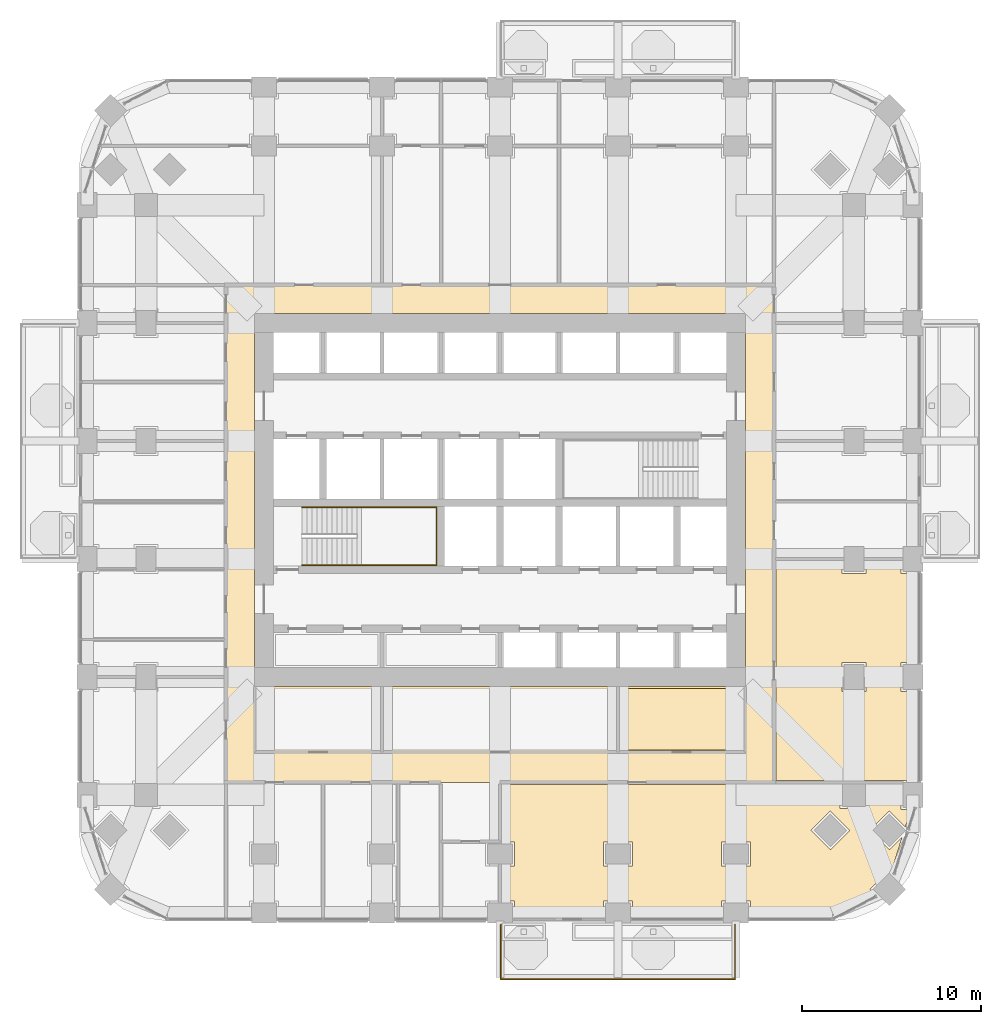
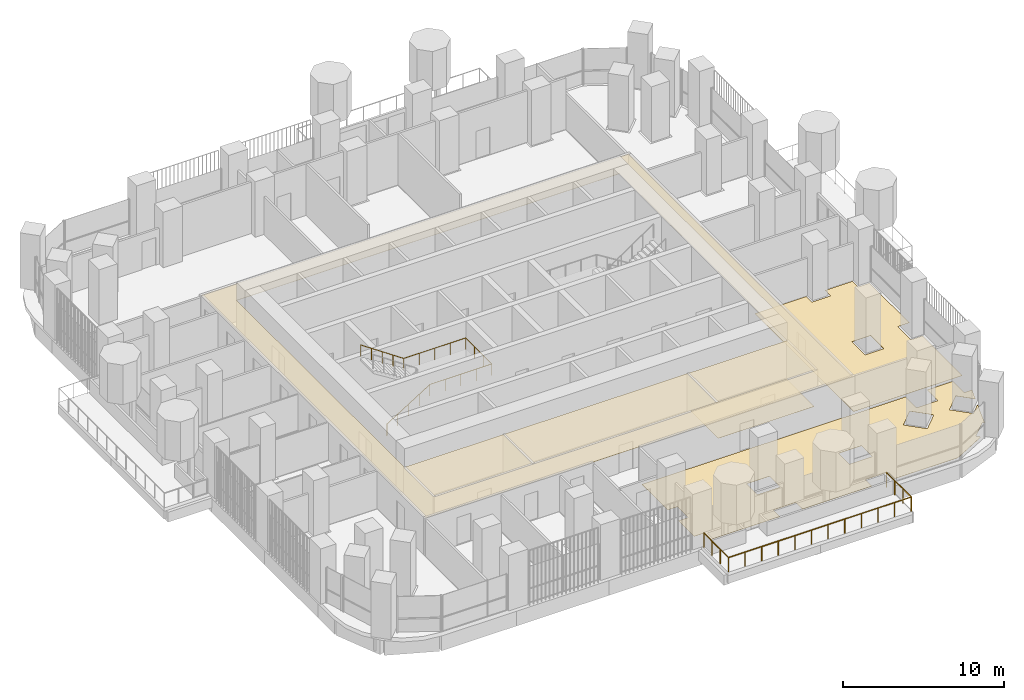
# One storey, part 19 of 22: 4 coverings, 2 railings.
"""IFC4 building model written with IfcOpenShell, lengths in metres."""

import ifcopenshell
import ifcopenshell.guid

model = None  # the IFC model being written
_history = None  # IfcOwnerHistory: only IFC2X3 demands one
_inside = {}  # id of a spatial element -> (the spatial element, [elements in it])
_under = {}  # id of a project, library or spatial element -> (it, [spatial elements below it])
_declared = {}  # id of a project -> (the project, [libraries it declares])
_typed = {}  # id of a type object -> (the type object, [elements of that type])
_made_of = {}  # id of a material, layer set ... -> (it, [elements and type objects made of it])


def new_model(schema):
    """Start an empty IFC model of exactly this schema.

    Asked for "IFC4X3", IfcOpenShell would pick the latest addendum, in which some entities
    have other attributes; the version numbers below select the first issue.
    IFC2X3 requires an IfcOwnerHistory on every rooted entity: one is made here for all.
    """
    global model, _history
    if schema == "IFC4X3":
        model = ifcopenshell.file(schema_version=(4, 3, 0, 0))
    else:
        model = ifcopenshell.file(schema=schema)
    _inside.clear()
    _under.clear()
    _declared.clear()
    _typed.clear()
    _made_of.clear()
    _history = None
    if model.schema == "IFC2X3":
        org = make("IfcOrganization", Name="unknown")
        user = make(
            "IfcPersonAndOrganization",
            ThePerson=make("IfcPerson", FamilyName="unknown"),
            TheOrganization=org,
        )
        app = make(
            "IfcApplication",
            ApplicationDeveloper=org,
            Version="unknown",
            ApplicationFullName="unknown",
            ApplicationIdentifier="unknown",
        )
        _history = make(
            "IfcOwnerHistory",
            OwningUser=user,
            OwningApplication=app,
            ChangeAction="ADDED",
            CreationDate=0,
        )
    return model


def make(cls, **values):
    """One entity of the class cls with the attributes given. An attribute that is None is left unset."""
    return model.create_entity(
        cls, **{name: value for name, value in values.items() if value is not None}
    )


def rooted(cls, **values):
    """An entity with a GlobalId (a new one), such as an element, a storey or a relation."""
    return make(cls, GlobalId=ifcopenshell.guid.new(), OwnerHistory=_history, **values)


def si_unit(unit_type, name, prefix=None):
    """IfcSIUnit, for example si_unit("LENGTHUNIT", "METRE", prefix="MILLI")."""
    return make("IfcSIUnit", UnitType=unit_type, Prefix=prefix, Name=name)


def assignment(units):
    """IfcUnitAssignment: the units of a project."""
    return None if units is None else make("IfcUnitAssignment", Units=units)


def point(xyz):
    """IfcCartesianPoint."""
    return None if xyz is None else make("IfcCartesianPoint", Coordinates=xyz)


def direction(xyz):
    """IfcDirection."""
    return None if xyz is None else make("IfcDirection", DirectionRatios=xyz)


def frame(location, z_axis=None, x_axis=None):
    """IfcAxis2Placement3D, a coordinate frame: its origin and axes. An axis left out is left unset."""
    return make(
        "IfcAxis2Placement3D",
        Location=point(location),
        Axis=direction(z_axis),
        RefDirection=direction(x_axis),
    )


def origin():
    """The frame at (0, 0, 0) with its axes left unset."""
    return frame((0.0, 0.0, 0.0))


def place(relative_to, where):
    """IfcLocalPlacement: puts the frame where relative to a parent placement (None: the world)."""
    return make(
        "IfcLocalPlacement", PlacementRelTo=relative_to, RelativePlacement=where
    )


def context(
    kind, dimensions, precision=None, world=None, true_north=None, identifier=None
):
    """IfcGeometricRepresentationContext, for example the 3D "Model" context."""
    return make(
        "IfcGeometricRepresentationContext",
        ContextIdentifier=identifier,
        ContextType=kind,
        CoordinateSpaceDimension=dimensions,
        Precision=precision,
        WorldCoordinateSystem=world,
        TrueNorth=true_north,
    )


def subcontext(parent, identifier, kind, view, scale=None):
    """IfcGeometricRepresentationSubContext, for example "Body" below "Model"."""
    return make(
        "IfcGeometricRepresentationSubContext",
        ContextIdentifier=identifier,
        ContextType=kind,
        ParentContext=parent,
        TargetScale=scale,
        TargetView=view,
    )


def project(units=None, contexts=None):
    """IfcProject with its units and contexts."""
    return rooted(
        "IfcProject",
        Name="project",
        RepresentationContexts=contexts,
        UnitsInContext=assignment(units),
    )


def spatial(cls, under=None, at=None, **own):
    """A site, building, storey or space (cls), placed at a placement, below another one or the project."""
    s = rooted(cls, ObjectPlacement=at, **own)
    if under is not None:
        _under.setdefault(under.id(), (under, []))[1].append(s)
    return s


def polyline(points):
    """IfcPolyline through the points."""
    return make("IfcPolyline", Points=[point(p) for p in points])


def outline(outer, holes=None, kind="AREA"):
    """IfcArbitraryClosedProfileDef: a profile drawn as a closed curve; with holes, ...WithVoids."""
    if holes is None:
        return make("IfcArbitraryClosedProfileDef", ProfileType=kind, OuterCurve=outer)
    return make(
        "IfcArbitraryProfileDefWithVoids",
        ProfileType=kind,
        OuterCurve=outer,
        InnerCurves=holes,
    )


def extrude(swept, where, along, depth):
    """IfcExtrudedAreaSolid: the profile swept, set in the frame where, extruded along a direction by depth."""
    return make(
        "IfcExtrudedAreaSolid",
        SweptArea=swept,
        Position=where,
        ExtrudedDirection=direction(along),
        Depth=depth,
    )


def shape(context_of_items, identifier, shape_type, items):
    """IfcShapeRepresentation: the items that make up one representation, for example the "Body"."""
    return make(
        "IfcShapeRepresentation",
        ContextOfItems=context_of_items,
        RepresentationIdentifier=identifier,
        RepresentationType=shape_type,
        Items=items,
    )


def material(Name=None, Category=None):
    """IfcMaterial."""
    return make("IfcMaterial", Name=Name, Category=Category)


def layer(
    of_material, thickness, ventilated=None, Name=None, Category=None, Priority=None
):
    """IfcMaterialLayer: one layer of a wall or slab, of a material (None: an air gap)."""
    return make(
        "IfcMaterialLayer",
        Material=of_material,
        LayerThickness=thickness,
        IsVentilated=ventilated,
        Name=Name,
        Category=Category,
        Priority=Priority,
    )


def layer_set(layers, Name=None):
    """IfcMaterialLayerSet."""
    return make("IfcMaterialLayerSet", MaterialLayers=layers, LayerSetName=Name)


def made_of(thing, what):
    """Note that an element or type object is made of a material, layer set ...; save() writes the relation."""
    if what is not None:
        _made_of.setdefault(what.id(), (what, []))[1].append(thing)
    return thing


def type_object(cls, material=None, **own):
    """A type object (cls), such as IfcWallType, which elements share."""
    return made_of(rooted(cls, **own), material)


def element(
    cls,
    number,
    at=None,
    inside=None,
    cuts=None,
    type_object=None,
    material=None,
    context=None,
    identifier="Body",
    shape_type=None,
    held_by="IfcProductDefinitionShape",
    body=None,
    shapes=None,
    **own,
):
    """One element of the class cls, such as IfcWall. Its Tag is "e" and its number.

    at: its placement. inside: the storey or other place that contains it. cuts: it is an
    opening in that element (IfcRelVoidsElement). A single representation is given by context,
    identifier, shape_type and body (its items); several are given by shapes. held_by: the class
    of the entity that holds the representations. save() writes the other relations.
    """
    e = rooted(cls, Tag="e%d" % number, ObjectPlacement=at, **own)
    if body is not None:
        shapes = [shape(context, identifier, shape_type, body)]
    if shapes is not None:
        e.Representation = make(held_by, Representations=shapes)
    if inside is not None:
        _inside.setdefault(inside.id(), (inside, []))[1].append(e)
    if cuts is not None:
        rooted(
            "IfcRelVoidsElement", RelatingBuildingElement=cuts, RelatedOpeningElement=e
        )
    if type_object is not None:
        _typed.setdefault(type_object.id(), (type_object, []))[1].append(e)
    return made_of(e, material)


def aggregate(whole, parts):
    """IfcRelAggregates: a whole, such as a stair, and the parts it consists of."""
    return rooted("IfcRelAggregates", RelatingObject=whole, RelatedObjects=parts)


def save(model, path):
    """Write the relations noted so far, then the file.

    IfcRelAggregates (storeys below a building ...), IfcRelContainedInSpatialStructure (elements
    in a storey), IfcRelDefinesByType, IfcRelAssociatesMaterial and IfcRelDeclares: one each for
    every whole, place, type object, material and project.
    """
    for whole, parts in _under.values():
        aggregate(whole, parts)
    for where, things in _inside.values():
        rooted(
            "IfcRelContainedInSpatialStructure",
            RelatedElements=things,
            RelatingStructure=where,
        )
    for kind, things in _typed.values():
        rooted("IfcRelDefinesByType", RelatedObjects=things, RelatingType=kind)
    for what, things in _made_of.values():
        rooted("IfcRelAssociatesMaterial", RelatedObjects=things, RelatingMaterial=what)
    for by, libraries in _declared.values():
        rooted("IfcRelDeclares", RelatingContext=by, RelatedDefinitions=libraries)
    model.write(path)


model = new_model("IFC4")

# Units and contexts
model_context = context("Model", 3, precision=1e-05, world=origin(), true_north=direction((0.0, 1.0)))
body_context = subcontext(model_context, "Body", "Model", "MODEL_VIEW")
ifc_project = project(units=[si_unit("LENGTHUNIT", "METRE"), si_unit("AREAUNIT", "SQUARE_METRE"), si_unit("VOLUMEUNIT", "CUBIC_METRE"), si_unit("PLANEANGLEUNIT", "RADIAN"), si_unit("MASSUNIT", "GRAM", prefix="KILO")], contexts=[model_context])

# Site, building, storey
site_placement = place(None, origin())
site = spatial("IfcSite", under=ifc_project, at=site_placement, CompositionType="ELEMENT")
building_placement = place(site_placement, origin())
building = spatial("IfcBuilding", under=site, at=building_placement, Name="Cobogo Forest Laboratory Tower", CompositionType="ELEMENT")
storey_placement = place(building_placement, frame((0.0, 0.0, 111.60009765625)))
storey = spatial("IfcBuildingStorey", under=building, at=storey_placement, Name="L25", CompositionType="ELEMENT", Elevation=111.60009765625)

# Railing
ifc_material_1 = material(Name="Laminated glass balustrade", Category="glass")
railing_type_1 = type_object("IfcRailingType", Name="BG1 glass balustrade 1100", PredefinedType="GUARDRAIL", material=ifc_material_1)
railing_1_placement = place(storey_placement, frame((26.449951171875, -0.64990234375, 0.0)))
element("IfcRailing", 1, at=railing_1_placement, inside=storey, type_object=railing_type_1, Name="Balcony balustrade BAL-S1 L25", PredefinedType="GUARDRAIL", context=body_context, shape_type="SweptSolid", body=[
    extrude(outline(polyline([(0.022216796875, 0.00927734375), (0.00927734375, 0.022216796875), (-0.00927734375, 0.022216796875), (-0.022216796875, 0.00927734375), (-0.022216796875, -0.00927734375), (-0.00927734375, -0.022216796875), (0.00927734375, -0.022216796875), (0.022216796875, -0.00927734375), (0.022216796875, 0.00927734375)])), frame((0.0, 0.0, 1.077880859375), z_axis=(0.0, -1.0, 0.0), x_axis=(1.0, 0.0, 0.0)), (0.0, 0.0, 1.0), 3.050048828125),
    extrude(outline(polyline([(0.022216796875, 0.00927734375), (0.00927734375, 0.022216796875), (-0.00927734375, 0.022216796875), (-0.022216796875, 0.00927734375), (-0.022216796875, -0.00927734375), (-0.00927734375, -0.022216796875), (0.00927734375, -0.022216796875), (0.022216796875, -0.00927734375), (0.022216796875, 0.00927734375)])), frame((0.0, -3.050048828125, 1.077880859375), z_axis=(1.0, 0.0, 0.0), x_axis=(0.0, 1.0, 0.0)), (0.0, 0.0, 1.0), 13.10009765625),
    extrude(outline(polyline([(0.022216796875, 0.00927734375), (0.00927734375, 0.022216796875), (-0.00927734375, 0.022216796875), (-0.022216796875, 0.00927734375), (-0.022216796875, -0.00927734375), (-0.00927734375, -0.022216796875), (0.00927734375, -0.022216796875), (0.022216796875, -0.00927734375), (0.022216796875, 0.00927734375)])), frame((13.10009765625, -3.050048828125, 1.077880859375), z_axis=(0.0, 1.0, 0.0), x_axis=(-1.0, 0.0, 0.0)), (0.0, 0.0, 1.0), 3.050048828125),
    extrude(outline(polyline([(0.019287109375, 0.008056640625), (0.008056640625, 0.019287109375), (-0.008056640625, 0.019287109375), (-0.019287109375, 0.008056640625), (-0.019287109375, -0.008056640625), (-0.008056640625, -0.019287109375), (0.008056640625, -0.019287109375), (0.019287109375, -0.008056640625), (0.019287109375, 0.008056640625)])), origin(), (0.0, 0.0, 1.0), 1.077880859375),
    extrude(outline(polyline([(0.019287109375, 0.008056640625), (0.008056640625, 0.019287109375), (-0.008056640625, 0.019287109375), (-0.019287109375, 0.008056640625), (-0.019287109375, -0.008056640625), (-0.008056640625, -0.019287109375), (0.008056640625, -0.019287109375), (0.019287109375, -0.008056640625), (0.019287109375, 0.008056640625)])), frame((0.0, -1.0166015625, 0.0)), (0.0, 0.0, 1.0), 1.077880859375),
    extrude(outline(polyline([(0.019287109375, 0.008056640625), (0.008056640625, 0.019287109375), (-0.008056640625, 0.019287109375), (-0.019287109375, 0.008056640625), (-0.019287109375, -0.008056640625), (-0.008056640625, -0.019287109375), (0.008056640625, -0.019287109375), (0.019287109375, -0.008056640625), (0.019287109375, 0.008056640625)])), frame((0.0, -2.033447265625, 0.0)), (0.0, 0.0, 1.0), 1.077880859375),
    extrude(outline(polyline([(0.019287109375, 0.008056640625), (0.008056640625, 0.019287109375), (-0.008056640625, 0.019287109375), (-0.019287109375, 0.008056640625), (-0.019287109375, -0.008056640625), (-0.008056640625, -0.019287109375), (0.008056640625, -0.019287109375), (0.019287109375, -0.008056640625), (0.019287109375, 0.008056640625)])), frame((0.0, -3.050048828125, 0.0)), (0.0, 0.0, 1.0), 1.077880859375),
    extrude(outline(polyline([(0.019287109375, 0.008056640625), (0.008056640625, 0.019287109375), (-0.008056640625, 0.019287109375), (-0.019287109375, 0.008056640625), (-0.019287109375, -0.008056640625), (-0.008056640625, -0.019287109375), (0.008056640625, -0.019287109375), (0.019287109375, -0.008056640625), (0.019287109375, 0.008056640625)])), frame((1.19091796875, -3.050048828125, 0.0)), (0.0, 0.0, 1.0), 1.077880859375),
    extrude(outline(polyline([(0.019287109375, 0.008056640625), (0.008056640625, 0.019287109375), (-0.008056640625, 0.019287109375), (-0.019287109375, 0.008056640625), (-0.019287109375, -0.008056640625), (-0.008056640625, -0.019287109375), (0.008056640625, -0.019287109375), (0.019287109375, -0.008056640625), (0.019287109375, 0.008056640625)])), frame((2.3818359375, -3.050048828125, 0.0)), (0.0, 0.0, 1.0), 1.077880859375),
    extrude(outline(polyline([(0.019287109375, 0.008056640625), (0.008056640625, 0.019287109375), (-0.008056640625, 0.019287109375), (-0.019287109375, 0.008056640625), (-0.019287109375, -0.008056640625), (-0.008056640625, -0.019287109375), (0.008056640625, -0.019287109375), (0.019287109375, -0.008056640625), (0.019287109375, 0.008056640625)])), frame((3.57275390625, -3.050048828125, 0.0)), (0.0, 0.0, 1.0), 1.077880859375),
    extrude(outline(polyline([(0.019287109375, 0.008056640625), (0.008056640625, 0.019287109375), (-0.008056640625, 0.019287109375), (-0.019287109375, 0.008056640625), (-0.019287109375, -0.008056640625), (-0.008056640625, -0.019287109375), (0.008056640625, -0.019287109375), (0.019287109375, -0.008056640625), (0.019287109375, 0.008056640625)])), frame((4.763671875, -3.050048828125, 0.0)), (0.0, 0.0, 1.0), 1.077880859375),
    extrude(outline(polyline([(0.019287109375, 0.008056640625), (0.008056640625, 0.019287109375), (-0.008056640625, 0.019287109375), (-0.019287109375, 0.008056640625), (-0.019287109375, -0.008056640625), (-0.008056640625, -0.019287109375), (0.008056640625, -0.019287109375), (0.019287109375, -0.008056640625), (0.019287109375, 0.008056640625)])), frame((5.95458984375, -3.050048828125, 0.0)), (0.0, 0.0, 1.0), 1.077880859375),
    extrude(outline(polyline([(0.019287109375, 0.008056640625), (0.008056640625, 0.019287109375), (-0.008056640625, 0.019287109375), (-0.019287109375, 0.008056640625), (-0.019287109375, -0.008056640625), (-0.008056640625, -0.019287109375), (0.008056640625, -0.019287109375), (0.019287109375, -0.008056640625), (0.019287109375, 0.008056640625)])), frame((7.1455078125, -3.050048828125, 0.0)), (0.0, 0.0, 1.0), 1.077880859375),
    extrude(outline(polyline([(0.019287109375, 0.008056640625), (0.008056640625, 0.019287109375), (-0.008056640625, 0.019287109375), (-0.019287109375, 0.008056640625), (-0.019287109375, -0.008056640625), (-0.008056640625, -0.019287109375), (0.008056640625, -0.019287109375), (0.019287109375, -0.008056640625), (0.019287109375, 0.008056640625)])), frame((8.33642578125, -3.050048828125, 0.0)), (0.0, 0.0, 1.0), 1.077880859375),
    extrude(outline(polyline([(0.019287109375, 0.008056640625), (0.008056640625, 0.019287109375), (-0.008056640625, 0.019287109375), (-0.019287109375, 0.008056640625), (-0.019287109375, -0.008056640625), (-0.008056640625, -0.019287109375), (0.008056640625, -0.019287109375), (0.019287109375, -0.008056640625), (0.019287109375, 0.008056640625)])), frame((9.52734375, -3.050048828125, 0.0)), (0.0, 0.0, 1.0), 1.077880859375),
    extrude(outline(polyline([(0.019287109375, 0.008056640625), (0.008056640625, 0.019287109375), (-0.008056640625, 0.019287109375), (-0.019287109375, 0.008056640625), (-0.019287109375, -0.008056640625), (-0.008056640625, -0.019287109375), (0.008056640625, -0.019287109375), (0.019287109375, -0.008056640625), (0.019287109375, 0.008056640625)])), frame((10.71826171875, -3.050048828125, 0.0)), (0.0, 0.0, 1.0), 1.077880859375),
    extrude(outline(polyline([(0.019287109375, 0.008056640625), (0.008056640625, 0.019287109375), (-0.008056640625, 0.019287109375), (-0.019287109375, 0.008056640625), (-0.019287109375, -0.008056640625), (-0.008056640625, -0.019287109375), (0.008056640625, -0.019287109375), (0.019287109375, -0.008056640625), (0.019287109375, 0.008056640625)])), frame((11.9091796875, -3.050048828125, 0.0)), (0.0, 0.0, 1.0), 1.077880859375),
    extrude(outline(polyline([(0.019287109375, 0.008056640625), (0.008056640625, 0.019287109375), (-0.008056640625, 0.019287109375), (-0.019287109375, 0.008056640625), (-0.019287109375, -0.008056640625), (-0.008056640625, -0.019287109375), (0.008056640625, -0.019287109375), (0.019287109375, -0.008056640625), (0.019287109375, 0.008056640625)])), frame((13.10009765625, -3.050048828125, 0.0)), (0.0, 0.0, 1.0), 1.077880859375),
    extrude(outline(polyline([(0.019287109375, 0.008056640625), (0.008056640625, 0.019287109375), (-0.008056640625, 0.019287109375), (-0.019287109375, 0.008056640625), (-0.019287109375, -0.008056640625), (-0.008056640625, -0.019287109375), (0.008056640625, -0.019287109375), (0.019287109375, -0.008056640625), (0.019287109375, 0.008056640625)])), frame((13.10009765625, -2.033447265625, 0.0)), (0.0, 0.0, 1.0), 1.077880859375),
    extrude(outline(polyline([(0.019287109375, 0.008056640625), (0.008056640625, 0.019287109375), (-0.008056640625, 0.019287109375), (-0.019287109375, 0.008056640625), (-0.019287109375, -0.008056640625), (-0.008056640625, -0.019287109375), (0.008056640625, -0.019287109375), (0.019287109375, -0.008056640625), (0.019287109375, 0.008056640625)])), frame((13.10009765625, -1.0166015625, 0.0)), (0.0, 0.0, 1.0), 1.077880859375),
    extrude(outline(polyline([(0.019287109375, 0.008056640625), (0.008056640625, 0.019287109375), (-0.008056640625, 0.019287109375), (-0.019287109375, 0.008056640625), (-0.019287109375, -0.008056640625), (-0.008056640625, -0.019287109375), (0.008056640625, -0.019287109375), (0.019287109375, -0.008056640625), (0.019287109375, 0.008056640625)])), frame((13.10009765625, 0.0, 0.0)), (0.0, 0.0, 1.0), 1.077880859375),
])

# Coverings
ifc_material_2 = material(Name="Mineral fibre ceiling tile", Category="ceiling")
ifc_layer_1 = layer(ifc_material_2, 0.02001953125)
ifc_layer_set_1 = layer_set([ifc_layer_1], Name="CL1 suspended ceiling")
covering_type_1 = type_object("IfcCoveringType", Name="CL1 suspended ceiling", PredefinedType="CEILING", material=ifc_layer_set_1)
covering_1_placement = place(storey_placement, frame((0.0, 0.0, 2.7998046875)))
element("IfcCovering", 2, at=covering_1_placement, inside=storey, type_object=covering_type_1, Name="Corridor ceiling L25", PredefinedType="CEILING", context=body_context, shape_type="SweptSolid", body=[
    extrude(outline(polyline([(11.074951171875, 7.300048828125), (11.074951171875, 35.125), (41.72509765625, 35.125), (41.72509765625, 7.300048828125), (11.074951171875, 7.300048828125)]), holes=[polyline([(40.125, 33.52490234375), (12.675048828125, 33.52490234375), (12.675048828125, 12.675048828125), (40.125, 12.675048828125), (40.125, 33.52490234375)])]), origin(), (0.0, 0.0, 1.0), 0.02001953125),
])
ifc_material_3 = material(Name="Carpet tile on raised access floor", Category="flooring")
ifc_layer_2 = layer(ifc_material_3, 0.008056640625)
ifc_layer_set_2 = layer_set([ifc_layer_2], Name="CT1 carpet tile floor 8")
covering_type_2 = type_object("IfcCoveringType", Name="CT1 carpet tile floor 8", PredefinedType="FLOORING", material=ifc_layer_set_2)
covering_2_placement = place(storey_placement, origin())
element("IfcCovering", 3, at=covering_2_placement, inside=storey, type_object=covering_type_2, Name="Carpet floor L25-09", PredefinedType="FLOORING", context=body_context, shape_type="SweptSolid", body=[
    extrude(outline(polyline([(41.844970703125, 19.679931640625), (45.530029296875, 19.679931640625), (45.530029296875, 18.97998046875), (46.8701171875, 18.97998046875), (46.8701171875, 19.679931640625), (48.830078125, 19.679931640625), (48.830078125, 18.97998046875), (49.64990234375, 18.97998046875), (49.64990234375, 14.02001953125), (48.830078125, 14.02001953125), (48.830078125, 12.3798828125), (49.64990234375, 12.3798828125), (49.64990234375, 7.419921875), (41.844970703125, 7.419921875), (41.844970703125, 19.679931640625)]), holes=[polyline([(45.530029296875, 12.3798828125), (46.8701171875, 12.3798828125), (46.8701171875, 14.02001953125), (45.530029296875, 14.02001953125), (45.530029296875, 12.3798828125)])]), origin(), (0.0, 0.0, 1.0), 0.0078125),
])

# Railing
ifc_material_4 = material(Name="Stainless steel handrail", Category="steel")
railing_type_2 = type_object("IfcRailingType", Name="HR handrail 900", PredefinedType="HANDRAIL", material=ifc_material_4)
railing_2_placement = place(storey_placement, frame((15.324951171875, 19.449951171875, 0.1748046875)))
element("IfcRailing", 4, at=railing_2_placement, inside=storey, type_object=railing_type_2, Name="Stair handrail ST1 L25", PredefinedType="HANDRAIL", context=body_context, shape_type="SweptSolid", body=[
    extrude(outline(polyline([(0.022216796875, 0.00927734375), (0.00927734375, 0.022216796875), (-0.00927734375, 0.022216796875), (-0.022216796875, 0.00927734375), (-0.022216796875, -0.00927734375), (-0.00927734375, -0.022216796875), (0.00927734375, -0.022216796875), (0.022216796875, -0.00927734375), (0.022216796875, 0.00927734375)])), frame((0.0, 0.0, 0.877685546875), z_axis=(0.847998304005, 0.0, 0.529998940003), x_axis=(0.0, 1.0, 0.0)), (0.0, 0.0, 1.0), 3.632080078125),
    extrude(outline(polyline([(0.022216796875, 0.00927734375), (0.00927734375, 0.022216796875), (-0.00927734375, 0.022216796875), (-0.022216796875, 0.00927734375), (-0.022216796875, -0.00927734375), (-0.00927734375, -0.022216796875), (0.00927734375, -0.022216796875), (0.022216796875, -0.00927734375), (0.022216796875, 0.00927734375)])), frame((3.080078125, 0.0, 2.802734375), z_axis=(1.0, 0.0, 0.0), x_axis=(0.0, 1.0, 0.0)), (0.0, 0.0, 1.0), 4.445068359375),
    extrude(outline(polyline([(0.022216796875, 0.00927734375), (0.00927734375, 0.022216796875), (-0.00927734375, 0.022216796875), (-0.022216796875, 0.00927734375), (-0.022216796875, -0.00927734375), (-0.00927734375, -0.022216796875), (0.00927734375, -0.022216796875), (0.022216796875, -0.00927734375), (0.022216796875, 0.00927734375)])), frame((7.525146484375, 0.0, 2.802734375), z_axis=(0.0, 1.0, 0.0), x_axis=(-1.0, 0.0, 0.0)), (0.0, 0.0, 1.0), 3.25),
    extrude(outline(polyline([(0.022216796875, 0.00927734375), (0.00927734375, 0.022216796875), (-0.00927734375, 0.022216796875), (-0.022216796875, 0.00927734375), (-0.022216796875, -0.00927734375), (-0.00927734375, -0.022216796875), (0.00927734375, -0.022216796875), (0.022216796875, -0.00927734375), (0.022216796875, 0.00927734375)])), frame((7.525146484375, 3.25, 2.802734375), z_axis=(-1.0, 0.0, 0.0), x_axis=(0.0, -1.0, 0.0)), (0.0, 0.0, 1.0), 4.445068359375),
    extrude(outline(polyline([(0.022216796875, 0.00927734375), (0.00927734375, 0.022216796875), (-0.00927734375, 0.022216796875), (-0.022216796875, 0.00927734375), (-0.022216796875, -0.00927734375), (-0.00927734375, -0.022216796875), (0.00927734375, -0.022216796875), (0.022216796875, -0.00927734375), (0.022216796875, 0.00927734375)])), frame((3.080078125, 3.25, 2.802734375), z_axis=(-0.826221800596, 0.0, 0.563344953133), x_axis=(0.0, -1.0, 0.0)), (0.0, 0.0, 1.0), 3.72802734375),
    extrude(outline(polyline([(0.019287109375, 0.008056640625), (0.008056640625, 0.019287109375), (-0.008056640625, 0.019287109375), (-0.019287109375, 0.008056640625), (-0.019287109375, -0.008056640625), (-0.008056640625, -0.019287109375), (0.008056640625, -0.019287109375), (0.019287109375, -0.008056640625), (0.019287109375, 0.008056640625)])), origin(), (0.0, 0.0, 1.0), 0.877685546875),
    extrude(outline(polyline([(0.019287109375, 0.008056640625), (0.008056640625, 0.019287109375), (-0.008056640625, 0.019287109375), (-0.019287109375, 0.008056640625), (-0.019287109375, -0.008056640625), (-0.008056640625, -0.019287109375), (0.008056640625, -0.019287109375), (0.019287109375, -0.008056640625), (0.019287109375, 0.008056640625)])), frame((0.77001953125, 0.0, 0.481201171875)), (0.0, 0.0, 1.0), 0.877685546875),
    extrude(outline(polyline([(0.019287109375, 0.008056640625), (0.008056640625, 0.019287109375), (-0.008056640625, 0.019287109375), (-0.019287109375, 0.008056640625), (-0.019287109375, -0.008056640625), (-0.008056640625, -0.019287109375), (0.008056640625, -0.019287109375), (0.019287109375, -0.008056640625), (0.019287109375, 0.008056640625)])), frame((1.5400390625, 0.0, 0.96240234375)), (0.0, 0.0, 1.0), 0.877685546875),
    extrude(outline(polyline([(0.019287109375, 0.008056640625), (0.008056640625, 0.019287109375), (-0.008056640625, 0.019287109375), (-0.019287109375, 0.008056640625), (-0.019287109375, -0.008056640625), (-0.008056640625, -0.019287109375), (0.008056640625, -0.019287109375), (0.019287109375, -0.008056640625), (0.019287109375, 0.008056640625)])), frame((2.31005859375, 0.0, 1.44384765625)), (0.0, 0.0, 1.0), 0.877685546875),
    extrude(outline(polyline([(0.019287109375, 0.008056640625), (0.008056640625, 0.019287109375), (-0.008056640625, 0.019287109375), (-0.019287109375, 0.008056640625), (-0.019287109375, -0.008056640625), (-0.008056640625, -0.019287109375), (0.008056640625, -0.019287109375), (0.019287109375, -0.008056640625), (0.019287109375, 0.008056640625)])), frame((3.080078125, 0.0, 1.925048828125)), (0.0, 0.0, 1.0), 0.877685546875),
    extrude(outline(polyline([(0.019287109375, 0.008056640625), (0.008056640625, 0.019287109375), (-0.008056640625, 0.019287109375), (-0.019287109375, 0.008056640625), (-0.019287109375, -0.008056640625), (-0.008056640625, -0.019287109375), (0.008056640625, -0.019287109375), (0.019287109375, -0.008056640625), (0.019287109375, 0.008056640625)])), frame((4.19140625, 0.0, 1.925048828125)), (0.0, 0.0, 1.0), 0.877685546875),
    extrude(outline(polyline([(0.019287109375, 0.008056640625), (0.008056640625, 0.019287109375), (-0.008056640625, 0.019287109375), (-0.019287109375, 0.008056640625), (-0.019287109375, -0.008056640625), (-0.008056640625, -0.019287109375), (0.008056640625, -0.019287109375), (0.019287109375, -0.008056640625), (0.019287109375, 0.008056640625)])), frame((5.302734375, 0.0, 1.925048828125)), (0.0, 0.0, 1.0), 0.877685546875),
    extrude(outline(polyline([(0.019287109375, 0.008056640625), (0.008056640625, 0.019287109375), (-0.008056640625, 0.019287109375), (-0.019287109375, 0.008056640625), (-0.019287109375, -0.008056640625), (-0.008056640625, -0.019287109375), (0.008056640625, -0.019287109375), (0.019287109375, -0.008056640625), (0.019287109375, 0.008056640625)])), frame((6.413818359375, 0.0, 1.925048828125)), (0.0, 0.0, 1.0), 0.877685546875),
    extrude(outline(polyline([(0.019287109375, 0.008056640625), (0.008056640625, 0.019287109375), (-0.008056640625, 0.019287109375), (-0.019287109375, 0.008056640625), (-0.019287109375, -0.008056640625), (-0.008056640625, -0.019287109375), (0.008056640625, -0.019287109375), (0.019287109375, -0.008056640625), (0.019287109375, 0.008056640625)])), frame((7.525146484375, 0.0, 1.925048828125)), (0.0, 0.0, 1.0), 0.877685546875),
    extrude(outline(polyline([(0.019287109375, 0.008056640625), (0.008056640625, 0.019287109375), (-0.008056640625, 0.019287109375), (-0.019287109375, 0.008056640625), (-0.019287109375, -0.008056640625), (-0.008056640625, -0.019287109375), (0.008056640625, -0.019287109375), (0.019287109375, -0.008056640625), (0.019287109375, 0.008056640625)])), frame((7.525146484375, 1.083251953125, 1.925048828125)), (0.0, 0.0, 1.0), 0.877685546875),
    extrude(outline(polyline([(0.019287109375, 0.008056640625), (0.008056640625, 0.019287109375), (-0.008056640625, 0.019287109375), (-0.019287109375, 0.008056640625), (-0.019287109375, -0.008056640625), (-0.008056640625, -0.019287109375), (0.008056640625, -0.019287109375), (0.019287109375, -0.008056640625), (0.019287109375, 0.008056640625)])), frame((7.525146484375, 2.166748046875, 1.925048828125)), (0.0, 0.0, 1.0), 0.877685546875),
    extrude(outline(polyline([(0.019287109375, 0.008056640625), (0.008056640625, 0.019287109375), (-0.008056640625, 0.019287109375), (-0.019287109375, 0.008056640625), (-0.019287109375, -0.008056640625), (-0.008056640625, -0.019287109375), (0.008056640625, -0.019287109375), (0.019287109375, -0.008056640625), (0.019287109375, 0.008056640625)])), frame((7.525146484375, 3.25, 1.925048828125)), (0.0, 0.0, 1.0), 0.877685546875),
    extrude(outline(polyline([(0.019287109375, 0.008056640625), (0.008056640625, 0.019287109375), (-0.008056640625, 0.019287109375), (-0.019287109375, 0.008056640625), (-0.019287109375, -0.008056640625), (-0.008056640625, -0.019287109375), (0.008056640625, -0.019287109375), (0.019287109375, -0.008056640625), (0.019287109375, 0.008056640625)])), frame((6.413818359375, 3.25, 1.925048828125)), (0.0, 0.0, 1.0), 0.877685546875),
    extrude(outline(polyline([(0.019287109375, 0.008056640625), (0.008056640625, 0.019287109375), (-0.008056640625, 0.019287109375), (-0.019287109375, 0.008056640625), (-0.019287109375, -0.008056640625), (-0.008056640625, -0.019287109375), (0.008056640625, -0.019287109375), (0.019287109375, -0.008056640625), (0.019287109375, 0.008056640625)])), frame((5.302734375, 3.25, 1.925048828125)), (0.0, 0.0, 1.0), 0.877685546875),
    extrude(outline(polyline([(0.019287109375, 0.008056640625), (0.008056640625, 0.019287109375), (-0.008056640625, 0.019287109375), (-0.019287109375, 0.008056640625), (-0.019287109375, -0.008056640625), (-0.008056640625, -0.019287109375), (0.008056640625, -0.019287109375), (0.019287109375, -0.008056640625), (0.019287109375, 0.008056640625)])), frame((4.19140625, 3.25, 1.925048828125)), (0.0, 0.0, 1.0), 0.877685546875),
    extrude(outline(polyline([(0.019287109375, 0.008056640625), (0.008056640625, 0.019287109375), (-0.008056640625, 0.019287109375), (-0.019287109375, 0.008056640625), (-0.019287109375, -0.008056640625), (-0.008056640625, -0.019287109375), (0.008056640625, -0.019287109375), (0.019287109375, -0.008056640625), (0.019287109375, 0.008056640625)])), frame((3.080078125, 3.25, 1.925048828125)), (0.0, 0.0, 1.0), 0.877685546875),
    extrude(outline(polyline([(0.019287109375, 0.008056640625), (0.008056640625, 0.019287109375), (-0.008056640625, 0.019287109375), (-0.019287109375, 0.008056640625), (-0.019287109375, -0.008056640625), (-0.008056640625, -0.019287109375), (0.008056640625, -0.019287109375), (0.019287109375, -0.008056640625), (0.019287109375, 0.008056640625)])), frame((2.31005859375, 3.25, 2.4501953125)), (0.0, 0.0, 1.0), 0.877685546875),
    extrude(outline(polyline([(0.019287109375, 0.008056640625), (0.008056640625, 0.019287109375), (-0.008056640625, 0.019287109375), (-0.019287109375, 0.008056640625), (-0.019287109375, -0.008056640625), (-0.008056640625, -0.019287109375), (0.008056640625, -0.019287109375), (0.019287109375, -0.008056640625), (0.019287109375, 0.008056640625)])), frame((1.5400390625, 3.25, 2.97509765625)), (0.0, 0.0, 1.0), 0.877685546875),
    extrude(outline(polyline([(0.019287109375, 0.008056640625), (0.008056640625, 0.019287109375), (-0.008056640625, 0.019287109375), (-0.019287109375, 0.008056640625), (-0.019287109375, -0.008056640625), (-0.008056640625, -0.019287109375), (0.008056640625, -0.019287109375), (0.019287109375, -0.008056640625), (0.019287109375, 0.008056640625)])), frame((0.77001953125, 3.25, 3.5)), (0.0, 0.0, 1.0), 0.877685546875),
    extrude(outline(polyline([(0.019287109375, 0.008056640625), (0.008056640625, 0.019287109375), (-0.008056640625, 0.019287109375), (-0.019287109375, 0.008056640625), (-0.019287109375, -0.008056640625), (-0.008056640625, -0.019287109375), (0.008056640625, -0.019287109375), (0.019287109375, -0.008056640625), (0.019287109375, 0.008056640625)])), frame((0.0, 3.25, 4.025146484375)), (0.0, 0.0, 1.0), 0.877685546875),
])

# Coverings
ifc_material_5 = material(Name="Epoxy resin flooring", Category="flooring")
ifc_layer_3 = layer(ifc_material_5, 0.00390625)
ifc_layer_set_3 = layer_set([ifc_layer_3], Name="LF1 epoxy laboratory floor 4")
covering_type_3 = type_object("IfcCoveringType", Name="LF1 epoxy laboratory floor 4", PredefinedType="FLOORING", material=ifc_layer_set_3)
covering_3_placement = place(storey_placement, origin())
element("IfcCovering", 5, at=covering_3_placement, inside=storey, type_object=covering_type_3, Name="Epoxy laboratory floor L25-03", PredefinedType="FLOORING", context=body_context, shape_type="SweptSolid", body=[
    extrude(outline(polyline([(40.0048828125, 9.1201171875), (33.1201171875, 9.1201171875), (33.1201171875, 12.554931640625), (40.0048828125, 12.554931640625), (40.0048828125, 9.1201171875)])), origin(), (0.0, 0.0, 1.0), 0.00390625),
])
ifc_material_6 = material(Name="Ceramic floor tile", Category="flooring")
ifc_layer_4 = layer(ifc_material_6, 0.010009765625)
ifc_layer_set_4 = layer_set([ifc_layer_4], Name="TF1 ceramic tile floor 10")
covering_type_4 = type_object("IfcCoveringType", Name="TF1 ceramic tile floor 10", PredefinedType="FLOORING", material=ifc_layer_set_4)
covering_4_placement = place(storey_placement, origin())
element("IfcCovering", 6, at=covering_4_placement, inside=storey, type_object=covering_type_4, Name="Tile floor L25-08", PredefinedType="FLOORING", context=body_context, shape_type="SweptSolid", body=[
    extrude(outline(polyline([(45.429931640625, 5.830078125), (46.969970703125, 5.830078125), (46.969970703125, 7.179931640625), (48.830078125, 7.179931640625), (48.830078125, 5.780029296875), (49.38134765625, 5.780029296875), (49.075927734375, 4.81298828125), (48.181884765625, 5.70703125), (47.093017578125, 4.617919921875), (48.181884765625, 3.529052734375), (48.89599609375, 4.2431640625), (48.283935546875, 2.304931640625), (48.181884765625, 2.406982421875), (47.093017578125, 1.318115234375), (47.3193359375, 1.091552734375), (44.95068359375, -0.14990234375), (40.419921875, -0.14990234375), (40.419921875, 0.669921875), (38.780029296875, 0.669921875), (38.780029296875, -0.14990234375), (33.820068359375, -0.14990234375), (33.820068359375, 0.669921875), (32.179931640625, 0.669921875), (32.179931640625, -0.14990234375), (27.219970703125, -0.14990234375), (27.219970703125, 0.669921875), (26.52001953125, 0.669921875), (26.52001953125, 2.6298828125), (27.219970703125, 2.6298828125), (27.219970703125, 3.969970703125), (26.52001953125, 3.969970703125), (26.52001953125, 7.179931640625), (45.429931640625, 7.179931640625), (45.429931640625, 5.830078125)]), holes=[polyline([(43.79296875, 4.617919921875), (44.882080078125, 3.529052734375), (45.970947265625, 4.617919921875), (44.882080078125, 5.70703125), (43.79296875, 4.617919921875)]), polyline([(38.780029296875, 3.969970703125), (38.780029296875, 2.6298828125), (40.419921875, 2.6298828125), (40.419921875, 3.969970703125), (38.780029296875, 3.969970703125)]), polyline([(32.179931640625, 3.969970703125), (32.179931640625, 2.6298828125), (33.820068359375, 2.6298828125), (33.820068359375, 3.969970703125), (32.179931640625, 3.969970703125)])]), origin(), (0.0, 0.0, 1.0), 0.010009765625),
])

save(model, "model.ifc")
